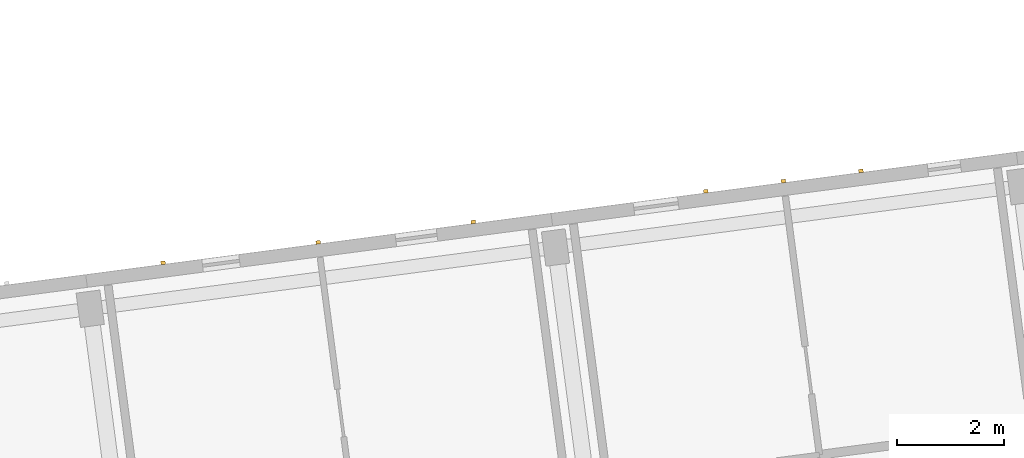
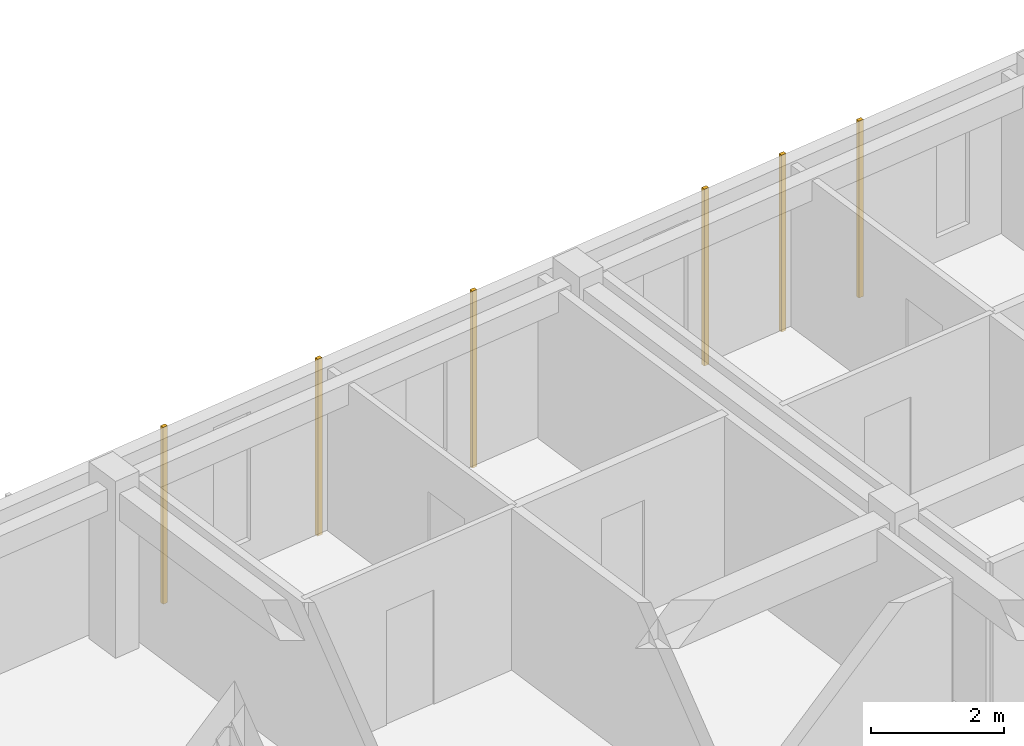
# One storey, part 26 of 31: 6 coverings.
"""IFC4 building model written with IfcOpenShell, lengths in metres."""

from ifc_helpers import new_model, si_unit, direction, frame, origin, origin_2d, place, context, subcontext, project, spatial, rectangle, extrude, material, layer, layer_set, type_object, element, save


model = new_model("IFC4")

# Units and contexts
model_context = context("Model", 3, precision=1e-05, world=origin(), true_north=direction((0.0, 1.0)))
body_context = subcontext(model_context, "Body", "Model", "MODEL_VIEW")
ifc_project = project(units=[si_unit("LENGTHUNIT", "METRE"), si_unit("AREAUNIT", "SQUARE_METRE"), si_unit("VOLUMEUNIT", "CUBIC_METRE"), si_unit("PLANEANGLEUNIT", "RADIAN"), si_unit("MASSUNIT", "GRAM", prefix="KILO")], contexts=[model_context])

# Site, building, storey
site_placement = place(None, origin())
site = spatial("IfcSite", under=ifc_project, at=site_placement, CompositionType="ELEMENT")
building_placement = place(site_placement, origin())
building = spatial("IfcBuilding", under=site, at=building_placement, Name="Kestramere Prow Commons", CompositionType="ELEMENT")
storey_placement = place(building_placement, frame((0.0, 0.0, 37.64990234375)))
storey = spatial("IfcBuildingStorey", under=building, at=storey_placement, Name="L11", CompositionType="ELEMENT", Elevation=37.64990234375)

# Coverings
ifc_material = material(Name="Weathered Zinc-Titanium Standing-Seam Cladding")
ifc_layer = layer(ifc_material, 0.074951171875)
ifc_layer_set = layer_set([ifc_layer], Name="Weathered Zinc-Titanium Standing-Seam Cladding")
covering_type = type_object("IfcCoveringType", Name="COV-CLAD-SEAM", PredefinedType="CLADDING", material=ifc_layer_set)
for number, where, z_axis, x_axis, name in (
    (1, (36.12939453125, 96.137939453125, -0.25), (0.0, 0.0, 1.0), (0.991444861374, 0.13052619222, 0.0), "EW-A-L11-N-3 Standing-Seam Rib 1"),
    (2, (39.03759765625, 96.520751953125, -0.25), (0.0, 0.0, 1.0), (0.991444861374, 0.13052619222, 0.0), "EW-A-L11-N-3 Standing-Seam Rib 3"),
    (3, (41.94580078125, 96.903564453125, -0.25), (0.0, 0.0, 1.0), (0.991444861374, 0.13052619222, 0.0), "EW-A-L11-N-3 Standing-Seam Rib 5"),
    (4, (46.30810546875, 97.47802734375, -0.25), (0.0, 0.0, 1.0), (0.991444861374, 0.13052619222, 0.0), "EW-A-L11-N-4 Standing-Seam Rib 2"),
    (5, (47.76220703125, 97.66943359375, -0.25), (0.0, 0.0, 1.0), (0.991444861374, 0.13052619222, 0.0), "EW-A-L11-N-4 Standing-Seam Rib 3"),
    (6, (49.21630859375, 97.86083984375, -0.25), (0.0, 0.0, 1.0), (0.991444861374, 0.13052619222, 0.0), "EW-A-L11-N-4 Standing-Seam Rib 4"),
):
    element("IfcCovering", number, at=place(storey_placement, frame(where, z_axis=z_axis, x_axis=x_axis)), inside=storey, type_object=covering_type, Name=name, PredefinedType="CLADDING", context=body_context, shape_type="SweptSolid", body=[
        extrude(rectangle(XDim=0.0849609375, YDim=0.06494140625, at=origin_2d()), origin(), (0.0, 0.0, 1.0), 3.25),
    ])

save(model, "model.ifc")
